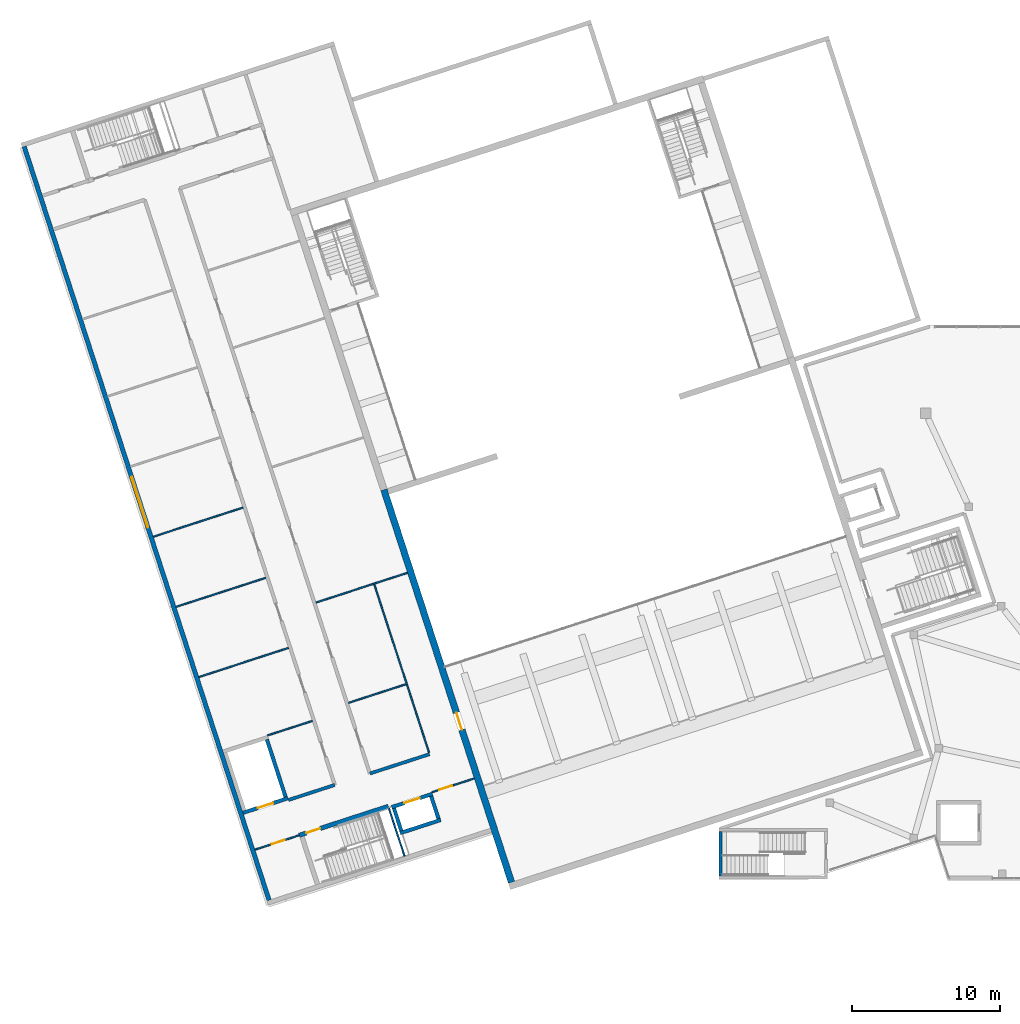
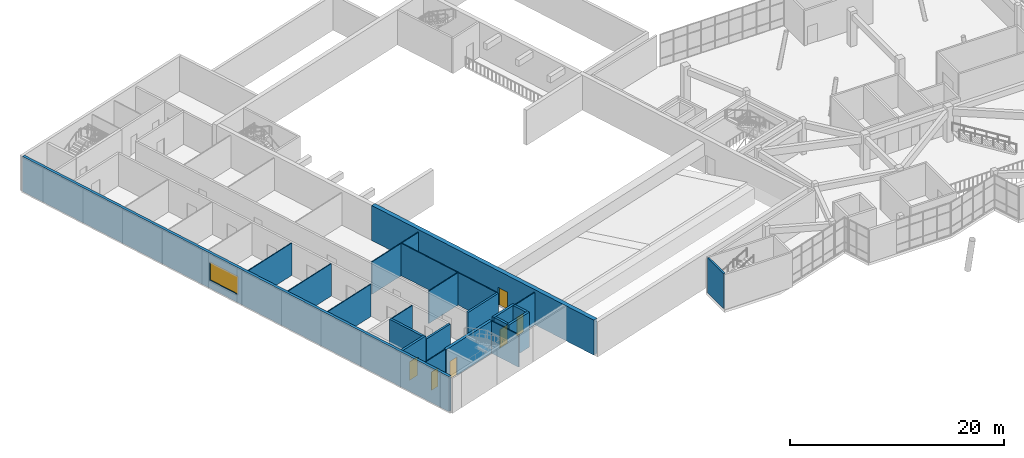
# One storey, part 52 of 66: 23 walls, 6 doors, 1 window, 7 openings.
"""IFC4 building model written with IfcOpenShell, lengths in metres."""

from ifc_helpers import new_model, si_unit, direction, frame, frame_2d, origin, place, context, subcontext, project, spatial, rectangle, extrude, material, layer, layer_set, type_object, element, fill, save


model = new_model("IFC4")

# Units and contexts
model_context = context("Model", 3, precision=1e-05, world=origin(), true_north=direction((0.0, 1.0)))
body_context = subcontext(model_context, "Body", "Model", "MODEL_VIEW")
ifc_project = project(units=[si_unit("LENGTHUNIT", "METRE"), si_unit("AREAUNIT", "SQUARE_METRE"), si_unit("VOLUMEUNIT", "CUBIC_METRE"), si_unit("PLANEANGLEUNIT", "RADIAN"), si_unit("MASSUNIT", "GRAM", prefix="KILO")], contexts=[model_context])

# Site, building, storey
site_placement = place(None, origin())
site = spatial("IfcSite", under=ifc_project, at=site_placement, CompositionType="ELEMENT")
building_placement = place(site_placement, origin())
building = spatial("IfcBuilding", under=site, at=building_placement, Name="Tuart Plaza Theatre", CompositionType="ELEMENT")
storey_placement = place(building_placement, frame((0.0, 0.0, 5.5)))
storey = spatial("IfcBuildingStorey", under=building, at=storey_placement, Name="L01", CompositionType="ELEMENT", Elevation=5.5)

# Walls
ifc_material_1 = material(Name="Plasterboard on steel stud", Category="steel")
ifc_layer_1 = layer(ifc_material_1, 0.10009765625)
ifc_layer_set_1 = layer_set([ifc_layer_1], Name="PARTITION STD100")
wall_type_1 = type_object("IfcWallType", Name="PARTITION STD100", PredefinedType="PARTITIONING", material=ifc_layer_set_1)
wall_1_placement = place(storey_placement, frame((33.395751953125, 52.16650390625, 0.0), z_axis=(0.0, 0.0, 1.0), x_axis=(0.951044192343, 0.309054921027, 0.0)))
element("IfcWall", 1, at=wall_1_placement, inside=storey, type_object=wall_type_1, Name="P234", PredefinedType="PARTITIONING", context=body_context, shape_type="SweptSolid", body=[
    extrude(rectangle(XDim=3.18994140625, YDim=0.10009765625, at=frame_2d((1.594970703125, 0.0))), origin(), (0.0, 0.0, 1.0), 3.699951171875),
])
wall_2_placement = place(storey_placement, frame((38.892822265625, 54.373291015625, 0.0), z_axis=(0.0, 0.0, 1.0), x_axis=(0.951055560564, 0.309019935796, 0.0)))
element("IfcWall", 2, at=wall_2_placement, inside=storey, type_object=wall_type_1, Name="P235", PredefinedType="PARTITIONING", context=body_context, shape_type="SweptSolid", body=[
    extrude(rectangle(XDim=4.090087890625, YDim=0.10009765625, at=frame_2d((2.044921875, 0.0))), origin(), (0.0, 0.0, 1.0), 3.699951171875),
])
wall_3_placement = place(storey_placement, frame((28.745361328125, 56.123291015625, 0.0), z_axis=(0.0, 0.0, 1.0), x_axis=(0.951059053869, 0.309009184417, 0.0)))
element("IfcWall", 3, at=wall_3_placement, inside=storey, type_object=wall_type_1, Name="P236", PredefinedType="PARTITIONING", context=body_context, shape_type="SweptSolid", body=[
    extrude(rectangle(XDim=6.39013671875, YDim=0.10009765625, at=frame_2d((3.195068359375, 0.0))), origin(), (0.0, 0.0, 1.0), 3.699951171875),
])
wall_4_placement = place(storey_placement, frame((36.683349609375, 61.17333984375, 0.0), z_axis=(0.0, 0.0, 1.0), x_axis=(0.95105616864, 0.309018064344, 0.0)))
element("IfcWall", 4, at=wall_4_placement, inside=storey, type_object=wall_type_1, Name="P237", PredefinedType="PARTITIONING", context=body_context, shape_type="SweptSolid", body=[
    extrude(rectangle(XDim=4.139892578125, YDim=0.10009765625, at=frame_2d((2.06982421875, 0.0))), origin(), (0.0, 0.0, 1.0), 3.699951171875),
])
for number, where, z_axis, x_axis, name in (
    (5, (27.200439453125, 60.87841796875, 0.0), (0.0, 0.0, 1.0), (0.951055405517, 0.309020412977, 0.0), "P239"),
    (6, (25.6552734375, 65.6337890625, 0.0), (0.0, 0.0, 1.0), (0.951055405517, 0.309020412977, 0.0), "P240"),
):
    element("IfcWall", number, at=place(storey_placement, frame(where, z_axis=z_axis, x_axis=x_axis)), inside=storey, type_object=wall_type_1, Name=name, PredefinedType="PARTITIONING", context=body_context, shape_type="SweptSolid", body=[
        extrude(rectangle(XDim=6.389892578125, YDim=0.10009765625, at=frame_2d((3.19482421875, 0.0))), origin(), (0.0, 0.0, 1.0), 3.699951171875),
    ])

# Wall, opening, door
ifc_material_2 = material(Name="Plasterboard on steel stud", Category="steel")
ifc_layer_2 = layer(ifc_material_2, 0.10009765625)
ifc_layer_set_2 = layer_set([ifc_layer_2], Name="PARTITION STD100 FRL 120/-/-")
wall_type_2 = type_object("IfcWallType", Name="PARTITION STD100 FRL 120/-/-", PredefinedType="PARTITIONING", material=ifc_layer_set_2)
wall_5_placement = place(storey_placement, frame((32.54638671875, 44.42529296875, 0.0), z_axis=(0.0, 0.0, 1.0), x_axis=(0.951058557014, 0.309010713619, 0.0)))
wall_5 = element("IfcWall", 7, at=wall_5_placement, inside=storey, type_object=wall_type_2, Name="P232", PredefinedType="PARTITIONING", context=body_context, shape_type="SweptSolid", body=[
    extrude(rectangle(XDim=3.14990234375, YDim=0.10009765625, at=frame_2d((1.574951171875, 0.0))), origin(), (0.0, 0.0, 1.0), 3.699951171875),
])
opening_1_placement = place(wall_5_placement, frame((1.199951171875, 0.0, 0.0)))
opening_1 = element("IfcOpeningElement", 8, at=opening_1_placement, cuts=wall_5, Name="Opening L01-005", PredefinedType="OPENING", context=body_context, shape_type="SweptSolid", body=[
    extrude(rectangle(XDim=0.89990234375, YDim=2.10009765625, at=frame_2d((0.449951171875, 1.050048828125))), frame((0.0, 0.06005859375, 0.0), z_axis=(0.0, -1.0, 0.0), x_axis=(1.0, 0.0, 0.0)), (0.0, 0.0, 1.0), 0.1201171875),
])
ifc_material_3 = material(Name="Timber", Category="wood")
door_type_1 = type_object("IfcDoorType", Name="DOOR 900x2100 timber single swing FRL -/60/30", OperationType="SINGLE_SWING_LEFT", PredefinedType="DOOR", material=ifc_material_3)
door_1_placement = place(opening_1_placement, frame((0.89990234375, 0.0, 0.0), z_axis=(0.0, 0.0, 1.0), x_axis=(-1.0, 0.0, 0.0)))
door_1 = element("IfcDoor", 9, at=door_1_placement, inside=storey, type_object=door_type_1, Name="L01-005", OperationType="SINGLE_SWING_RIGHT", OverallHeight=2.10009765625, OverallWidth=0.89990234375, PredefinedType="DOOR", context=body_context, shape_type="SweptSolid", body=[
    extrude(rectangle(XDim=0.89990234375, YDim=2.10009765625, at=frame_2d((0.449951171875, 1.050048828125))), frame((0.0, 0.02490234375, 0.0), z_axis=(0.0, -1.0, 0.0), x_axis=(1.0, 0.0, 0.0)), (0.0, 0.0, 1.0), 0.050048828125),
])
fill(opening_1, door_1)

wall_6_placement = place(storey_placement, frame((44.529541015625, 48.31884765625, 0.0), z_axis=(0.0, 0.0, 1.0), x_axis=(0.951053046121, 0.30902767427, 0.0)))
wall_6 = element("IfcWall", 10, at=wall_6_placement, inside=storey, type_object=wall_type_2, Name="P233", PredefinedType="PARTITIONING", context=body_context, shape_type="SweptSolid", body=[
    extrude(rectangle(XDim=3.02490234375, YDim=0.10009765625, at=frame_2d((1.512451171875, 0.0))), origin(), (0.0, 0.0, 1.0), 3.699951171875),
])
opening_2_placement = place(wall_6_placement, frame((0.533447265625, 0.0, 0.0)))
opening_2 = element("IfcOpeningElement", 11, at=opening_2_placement, cuts=wall_6, Name="Opening L01-006", PredefinedType="OPENING", context=body_context, shape_type="SweptSolid", body=[
    extrude(rectangle(XDim=0.89990234375, YDim=2.10009765625, at=frame_2d((0.449951171875, 1.050048828125))), frame((0.0, 0.06005859375, 0.0), z_axis=(0.0, -1.0, 0.0), x_axis=(1.0, 0.0, 0.0)), (0.0, 0.0, 1.0), 0.1201171875),
])
door_2_placement = place(opening_2_placement, frame((0.89990234375, 0.0, 0.0), z_axis=(0.0, 0.0, 1.0), x_axis=(-1.0, 0.0, 0.0)))
door_2 = element("IfcDoor", 12, at=door_2_placement, inside=storey, type_object=door_type_1, Name="L01-006", OperationType="SINGLE_SWING_LEFT", OverallHeight=2.10009765625, OverallWidth=0.89990234375, PredefinedType="DOOR", context=body_context, shape_type="SweptSolid", body=[
    extrude(rectangle(XDim=0.89990234375, YDim=2.10009765625, at=frame_2d((0.449951171875, 1.050048828125))), frame((0.0, 0.02490234375, 0.0), z_axis=(0.0, -1.0, 0.0), x_axis=(1.0, 0.0, 0.0)), (0.0, 0.0, 1.0), 0.050048828125),
])
fill(opening_2, door_2)

# Walls
wall_7_placement = place(storey_placement, frame((40.62060546875, 62.45263671875, 0.0), z_axis=(0.0, 0.0, 1.0), x_axis=(0.951061260164, 0.309002393867, 0.0)))
element("IfcWall", 13, at=wall_7_placement, inside=storey, type_object=wall_type_2, Name="P238", PredefinedType="PARTITIONING", context=body_context, shape_type="SweptSolid", body=[
    extrude(rectangle(XDim=2.375, YDim=0.10009765625, at=frame_2d((1.1875, 0.0))), origin(), (0.0, 0.0, 1.0), 3.699951171875),
])
wall_8_placement = place(storey_placement, frame((44.34130859375, 51.001953125, 0.0), z_axis=(0.0, 0.0, 1.0), x_axis=(-0.309016547708, 0.951056661426, 0.0)))
element("IfcWall", 14, at=wall_8_placement, inside=storey, type_object=wall_type_2, Name="P250", PredefinedType="PARTITIONING", context=body_context, shape_type="SweptSolid", body=[
    extrude(rectangle(XDim=11.989990234375, YDim=0.10009765625, at=frame_2d((5.9951171875, 0.0))), origin(), (0.0, 0.0, 1.0), 3.699951171875),
])
ifc_material_4 = material(Name="Plasterboard on steel stud", Category="steel")
ifc_layer_3 = layer(ifc_material_4, 0.10009765625)
ifc_layer_set_3 = layer_set([ifc_layer_3], Name="PARTITION STD100 FRL 120/120/120")
wall_type_3 = type_object("IfcWallType", Name="PARTITION STD100 FRL 120/120/120", PredefinedType="PARTITIONING", material=ifc_layer_set_3)
wall_9_placement = place(storey_placement, frame((42.678466796875, 43.984619140625, 0.0), z_axis=(0.0, 0.0, 1.0), x_axis=(-0.309045481752, 0.951047259714, 0.0)))
element("IfcWall", 15, at=wall_9_placement, inside=storey, type_object=wall_type_3, Name="P247", PredefinedType="PARTITIONING", context=body_context, shape_type="SweptSolid", body=[
    extrude(rectangle(XDim=3.400146484375, YDim=0.10009765625, at=frame_2d((1.7001953125, 0.0))), origin(), (0.0, 0.0, 1.0), 3.699951171875),
])
ifc_material_5 = material(Name="Concrete N40 (40 MPa)", Category="concrete")
ifc_layer_4 = layer(ifc_material_5, 0.199951171875)
ifc_layer_set_4 = layer_set([ifc_layer_4], Name="SHEAR WALL RC200 FRL 120/120/120")
wall_type_4 = type_object("IfcWallType", Name="SHEAR WALL RC200 FRL 120/120/120", PredefinedType="SHEAR", material=ifc_layer_set_4)
wall_10_placement = place(storey_placement, frame((64.10009765625, 45.64990234375, 0.0), z_axis=(0.0, 0.0, 1.0), x_axis=(0.0, -1.0, 0.0)))
element("IfcWall", 16, at=wall_10_placement, inside=storey, type_object=wall_type_4, Name="W252", PredefinedType="SHEAR", context=body_context, shape_type="SweptSolid", body=[
    extrude(rectangle(XDim=3.0, YDim=0.199951171875, at=frame_2d((1.5, 0.0))), origin(), (0.0, 0.0, 1.0), 4.0),
])
ifc_material_6 = material(Name="Concrete N40 (40 MPa)", Category="concrete")
ifc_layer_5 = layer(ifc_material_6, 0.25)
ifc_layer_set_5 = layer_set([ifc_layer_5], Name="SHEAR WALL RC250 FRL 120/120/120")
wall_type_5 = type_object("IfcWallType", Name="SHEAR WALL RC250 FRL 120/120/120", PredefinedType="SHEAR", material=ifc_layer_set_5)
wall_11_placement = place(storey_placement, frame((42.3818359375, 45.54443359375, 0.0), z_axis=(0.0, 0.0, 1.0), x_axis=(0.951071801089, 0.308969948659, 0.0)))
element("IfcWall", 17, at=wall_11_placement, inside=storey, type_object=wall_type_5, Name="W176", PredefinedType="SHEAR", context=body_context, shape_type="SweptSolid", body=[
    extrude(rectangle(XDim=2.89990234375, YDim=0.25, at=frame_2d((1.449951171875, 0.0))), origin(), (0.0, 0.0, 1.0), 4.0),
])
wall_12_placement = place(storey_placement, frame((44.982421875, 46.520751953125, 0.0), z_axis=(0.0, 0.0, 1.0), x_axis=(-0.308986014439, 0.951066581729, 0.0)))
element("IfcWall", 18, at=wall_12_placement, inside=storey, type_object=wall_type_5, Name="W177", PredefinedType="SHEAR", context=body_context, shape_type="SweptSolid", body=[
    extrude(rectangle(XDim=1.60009765625, YDim=0.25, at=frame_2d((0.800048828125, 0.0))), origin(), (0.0, 0.0, 1.0), 4.0),
])

# Wall, opening, door
wall_13_placement = place(storey_placement, frame((44.568359375, 48.199951171875, 0.0), z_axis=(0.0, 0.0, 1.0), x_axis=(-0.951047059821, -0.309046096893, 0.0)))
wall_13 = element("IfcWall", 19, at=wall_13_placement, inside=storey, type_object=wall_type_5, Name="W178", PredefinedType="SHEAR", context=body_context, shape_type="SweptSolid", body=[
    extrude(rectangle(XDim=2.89990234375, YDim=0.25, at=frame_2d((1.449951171875, 0.0))), origin(), (0.0, 0.0, 1.0), 4.0),
])
opening_3_placement = place(wall_13_placement, frame((0.89990234375, 0.0, 0.0)))
opening_3 = element("IfcOpeningElement", 20, at=opening_3_placement, cuts=wall_13, Name="Opening L01-001", PredefinedType="OPENING", context=body_context, shape_type="SweptSolid", body=[
    extrude(rectangle(XDim=1.10009765625, YDim=2.10009765625, at=frame_2d((0.550048828125, 1.050048828125))), frame((0.0, 0.135009765625, 0.0), z_axis=(0.0, -1.0, 0.0), x_axis=(1.0, 0.0, 0.0)), (0.0, 0.0, 1.0), 0.27001953125),
])
ifc_material_7 = material(Name="Steel Grade 300", Category="steel")
door_type_2 = type_object("IfcDoorType", Name="LANDING DOOR 1100x2100 steel sliding FRL -/120/30", OperationType="SLIDING_TO_LEFT", PredefinedType="DOOR", material=ifc_material_7)
door_3_placement = place(opening_3_placement, origin())
door_3 = element("IfcDoor", 21, at=door_3_placement, inside=storey, type_object=door_type_2, Name="L01-001", OperationType="SLIDING_TO_LEFT", OverallHeight=2.10009765625, OverallWidth=1.10009765625, PredefinedType="DOOR", context=body_context, shape_type="SweptSolid", body=[
    extrude(rectangle(XDim=1.10009765625, YDim=2.10009765625, at=frame_2d((0.550048828125, 1.050048828125))), frame((0.0, 0.02490234375, 0.0), z_axis=(0.0, -1.0, 0.0), x_axis=(1.0, 0.0, 0.0)), (0.0, 0.0, 1.0), 0.050048828125),
])
fill(opening_3, door_3)

# Wall
wall_14_placement = place(storey_placement, frame((41.9677734375, 47.2236328125, 0.0), z_axis=(0.0, 0.0, 1.0), x_axis=(0.308986014439, -0.951066581729, 0.0)))
element("IfcWall", 22, at=wall_14_placement, inside=storey, type_object=wall_type_5, Name="W179", PredefinedType="SHEAR", context=body_context, shape_type="SweptSolid", body=[
    extrude(rectangle(XDim=1.60009765625, YDim=0.25, at=frame_2d((0.800048828125, 0.0))), origin(), (0.0, 0.0, 1.0), 4.0),
])

# Wall, opening, door
wall_15_placement = place(storey_placement, frame((31.735107421875, 46.921630859375, 0.0), z_axis=(0.0, 0.0, 1.0), x_axis=(0.95104415986, 0.309055020985, 0.0)))
wall_15 = element("IfcWall", 23, at=wall_15_placement, inside=storey, type_object=wall_type_5, Name="W208", PredefinedType="SHEAR", context=body_context, shape_type="SweptSolid", body=[
    extrude(rectangle(XDim=3.2001953125, YDim=0.25, at=frame_2d((1.60009765625, 0.0))), origin(), (0.0, 0.0, 1.0), 4.0),
])
opening_4_placement = place(wall_15_placement, frame((1.050048828125, 0.0, 0.0)))
opening_4 = element("IfcOpeningElement", 24, at=opening_4_placement, cuts=wall_15, Name="Opening L01-002", PredefinedType="OPENING", context=body_context, shape_type="SweptSolid", body=[
    extrude(rectangle(XDim=1.10009765625, YDim=2.10009765625, at=frame_2d((0.550048828125, 1.050048828125))), frame((0.0, 0.135009765625, 0.0), z_axis=(0.0, -1.0, 0.0), x_axis=(1.0, 0.0, 0.0)), (0.0, 0.0, 1.0), 0.27001953125),
])
door_4_placement = place(opening_4_placement, origin())
door_4 = element("IfcDoor", 25, at=door_4_placement, inside=storey, type_object=door_type_2, Name="L01-002", OperationType="SLIDING_TO_LEFT", OverallHeight=2.10009765625, OverallWidth=1.10009765625, PredefinedType="DOOR", context=body_context, shape_type="SweptSolid", body=[
    extrude(rectangle(XDim=1.10009765625, YDim=2.10009765625, at=frame_2d((0.550048828125, 1.050048828125))), frame((0.0, 0.02490234375, 0.0), z_axis=(0.0, -1.0, 0.0), x_axis=(1.0, 0.0, 0.0)), (0.0, 0.0, 1.0), 0.050048828125),
])
fill(opening_4, door_4)

# Wall
wall_16_placement = place(storey_placement, frame((34.62109375, 47.990966796875, 0.0), z_axis=(0.0, 0.0, 1.0), x_axis=(-0.309055103076, 0.951044133184, 0.0)))
element("IfcWall", 26, at=wall_16_placement, inside=storey, type_object=wall_type_5, Name="W209", PredefinedType="SHEAR", context=body_context, shape_type="SweptSolid", body=[
    extrude(rectangle(XDim=4.099853515625, YDim=0.25, at=frame_2d((2.0498046875, 0.0))), origin(), (0.0, 0.0, 1.0), 4.0),
])

# Wall, opening, door
ifc_material_8 = material(Name="Concrete N50 (50 MPa)", Category="concrete")
ifc_layer_6 = layer(ifc_material_8, 0.449951171875)
ifc_layer_set_6 = layer_set([ifc_layer_6], Name="SHEAR WALL RC450 N50 FRL 120/120/120")
wall_type_6 = type_object("IfcWallType", Name="SHEAR WALL RC450 N50 FRL 120/120/120", PredefinedType="SHEAR", material=ifc_layer_set_6)
wall_17_placement = place(storey_placement, frame((49.930419921875, 42.2138671875, 0.0), z_axis=(0.0, 0.0, 1.0), x_axis=(-0.309016215614, 0.95105676933, 0.0)))
wall_17 = element("IfcWall", 27, at=wall_17_placement, inside=storey, type_object=wall_type_6, Name="W28", PredefinedType="SHEAR", context=body_context, shape_type="SweptSolid", body=[
    extrude(rectangle(XDim=27.97509765625, YDim=0.449951171875, at=frame_2d((13.987548828125, 0.0))), origin(), (0.0, 0.0, 1.0), 4.0),
])
opening_5_placement = place(wall_17_placement, frame((10.875, 0.0, 0.0)))
opening_5 = element("IfcOpeningElement", 28, at=opening_5_placement, cuts=wall_17, Name="Opening L01-030", PredefinedType="OPENING", context=body_context, shape_type="SweptSolid", body=[
    extrude(rectangle(XDim=1.199951171875, YDim=2.10009765625, at=frame_2d((0.60009765625, 1.050048828125))), frame((0.0, 0.23486328125, 0.0), z_axis=(0.0, -1.0, 0.0), x_axis=(1.0, 0.0, 0.0)), (0.0, 0.0, 1.0), 0.469970703125),
])
ifc_material_9 = material(Name="Timber", Category="wood")
door_type_3 = type_object("IfcDoorType", Name="DOOR 1200x2100 timber single swing FRL -/120/30", OperationType="SINGLE_SWING_LEFT", PredefinedType="DOOR", material=ifc_material_9)
door_5_placement = place(opening_5_placement, frame((1.199951171875, 0.0, 0.0), z_axis=(0.0, 0.0, 1.0), x_axis=(-1.0, 0.0, 0.0)))
door_5 = element("IfcDoor", 29, at=door_5_placement, inside=storey, type_object=door_type_3, Name="L01-030", OperationType="SINGLE_SWING_LEFT", OverallHeight=2.10009765625, OverallWidth=1.199951171875, PredefinedType="DOOR", context=body_context, shape_type="SweptSolid", body=[
    extrude(rectangle(XDim=1.199951171875, YDim=2.10009765625, at=frame_2d((0.60009765625, 1.050048828125))), frame((0.0, 0.02490234375, 0.0), z_axis=(0.0, -1.0, 0.0), x_axis=(1.0, 0.0, 0.0)), (0.0, 0.0, 1.0), 0.050048828125),
])
fill(opening_5, door_5)

# Walls
ifc_material_10 = material(Name="Concrete N40 (40 MPa)", Category="concrete")
ifc_layer_7 = layer(ifc_material_10, 0.219970703125)
ifc_layer_set_7 = layer_set([ifc_layer_7], Name="WALL RC220 LB FRL 120/120/120")
wall_type_7 = type_object("IfcWallType", Name="WALL RC220 LB FRL 120/120/120", PredefinedType="SOLIDWALL", material=ifc_layer_set_7)
wall_18_placement = place(storey_placement, frame((34.817138671875, 47.791748046875, 0.0), z_axis=(0.0, 0.0, 1.0), x_axis=(0.951053095941, 0.309027520945, 0.0)))
element("IfcWall", 30, at=wall_18_placement, inside=storey, type_object=wall_type_7, Name="W514", PredefinedType="SOLIDWALL", context=body_context, shape_type="SweptSolid", body=[
    extrude(rectangle(XDim=3.300048828125, YDim=0.219970703125, at=frame_2d((1.64990234375, 0.0))), origin(), (0.0, 0.0, 1.0), 3.699951171875),
])
wall_19_placement = place(storey_placement, frame((40.333251953125, 49.583984375, 0.0), z_axis=(0.0, 0.0, 1.0), x_axis=(0.951062770994, 0.308997743729, 0.0)))
element("IfcWall", 31, at=wall_19_placement, inside=storey, type_object=wall_type_7, Name="W515", PredefinedType="SOLIDWALL", context=body_context, shape_type="SweptSolid", body=[
    extrude(rectangle(XDim=4.25, YDim=0.219970703125, at=frame_2d((2.125, 0.0))), origin(), (0.0, 0.0, 1.0), 3.699951171875),
])

# Wall, opening, window
ifc_material_11 = material(Name="Concrete N40 (40 MPa)", Category="concrete")
ifc_layer_8 = layer(ifc_material_11, 0.300048828125)
ifc_layer_set_8 = layer_set([ifc_layer_8], Name="WALL RC300 LB FRL 120/120/120")
wall_type_8 = type_object("IfcWallType", Name="WALL RC300 LB FRL 120/120/120", PredefinedType="SOLIDWALL", material=ifc_layer_set_8)
wall_20_placement = place(storey_placement, frame((33.500732421875, 41.002685546875, 0.0), z_axis=(0.0, 0.0, 1.0), x_axis=(-0.309017194826, 0.951056451165, 0.0)))
wall_20 = element("IfcWall", 32, at=wall_20_placement, inside=storey, type_object=wall_type_8, Name="W66", PredefinedType="SOLIDWALL", context=body_context, shape_type="SweptSolid", body=[
    extrude(rectangle(XDim=53.699951171875, YDim=0.300048828125, at=frame_2d((26.85009765625, 0.0))), origin(), (0.0, 0.0, 1.0), 4.0),
])
opening_6_placement = place(wall_20_placement, frame((26.550048828125, 0.0, 0.89990234375)))
opening_6 = element("IfcOpeningElement", 33, at=opening_6_placement, cuts=wall_20, Name="Opening WN2", PredefinedType="OPENING", context=body_context, shape_type="SweptSolid", body=[
    extrude(rectangle(XDim=3.60009765625, YDim=2.10009765625, at=frame_2d((1.800048828125, 1.050048828125))), frame((0.0, 0.159912109375, 0.0), z_axis=(0.0, -1.0, 0.0), x_axis=(1.0, 0.0, 0.0)), (0.0, 0.0, 1.0), 0.320068359375),
])
ifc_material_12 = material(Name="Aluminium and glass", Category="aluminium")
window_type = type_object("IfcWindowType", Name="WINDOW 3600x2100 sill 900 aluminium double", PartitioningType="SINGLE_PANEL", PredefinedType="WINDOW", material=ifc_material_12)
window_placement = place(opening_6_placement, origin())
window = element("IfcWindow", 34, at=window_placement, inside=storey, type_object=window_type, Name="WN2", OverallHeight=2.10009765625, OverallWidth=3.60009765625, PartitioningType="SINGLE_PANEL", PredefinedType="WINDOW", context=body_context, shape_type="SweptSolid", body=[
    extrude(rectangle(XDim=3.60009765625, YDim=2.10009765625, at=frame_2d((1.800048828125, 1.050048828125))), frame((0.0, 0.030029296875, 0.0), z_axis=(0.0, -1.0, 0.0), x_axis=(1.0, 0.0, 0.0)), (0.0, 0.0, 1.0), 0.06005859375),
])
fill(opening_6, window)

# Wall, opening, door
wall_21_placement = place(storey_placement, frame((41.581298828125, 47.36083984375, 0.0), z_axis=(0.0, 0.0, 1.0), x_axis=(-0.951058929949, -0.309009565815, 0.0)))
wall_21 = element("IfcWall", 35, at=wall_21_placement, inside=storey, type_object=wall_type_8, Name="W103", PredefinedType="SOLIDWALL", context=body_context, shape_type="SweptSolid", body=[
    extrude(rectangle(XDim=6.349853515625, YDim=0.300048828125, at=frame_2d((3.1748046875, 0.0))), origin(), (0.0, 0.0, 1.0), 3.699951171875),
])
opening_7_placement = place(wall_21_placement, frame((4.85009765625, 0.0, 0.0)))
opening_7 = element("IfcOpeningElement", 36, at=opening_7_placement, cuts=wall_21, Name="Opening L01-025", PredefinedType="OPENING", context=body_context, shape_type="SweptSolid", body=[
    extrude(rectangle(XDim=1.0, YDim=2.10009765625, at=frame_2d((0.5, 1.050048828125))), frame((0.0, 0.159912109375, 0.0), z_axis=(0.0, -1.0, 0.0), x_axis=(1.0, 0.0, 0.0)), (0.0, 0.0, 1.0), 0.320068359375),
])
ifc_material_13 = material(Name="Timber", Category="wood")
door_type_4 = type_object("IfcDoorType", Name="DOOR 1000x2100 timber single swing FRL -/120/30", OperationType="SINGLE_SWING_LEFT", PredefinedType="DOOR", material=ifc_material_13)
door_6_placement = place(opening_7_placement, origin())
door_6 = element("IfcDoor", 37, at=door_6_placement, inside=storey, type_object=door_type_4, Name="L01-025", OperationType="SINGLE_SWING_LEFT", OverallHeight=2.10009765625, OverallWidth=1.0, PredefinedType="DOOR", context=body_context, shape_type="SweptSolid", body=[
    extrude(rectangle(XDim=1.0, YDim=2.10009765625, at=frame_2d((0.5, 1.050048828125))), frame((0.0, 0.02490234375, 0.0), z_axis=(0.0, -1.0, 0.0), x_axis=(1.0, 0.0, 0.0)), (0.0, 0.0, 1.0), 0.050048828125),
])
fill(opening_7, door_6)

save(model, "model.ifc")
